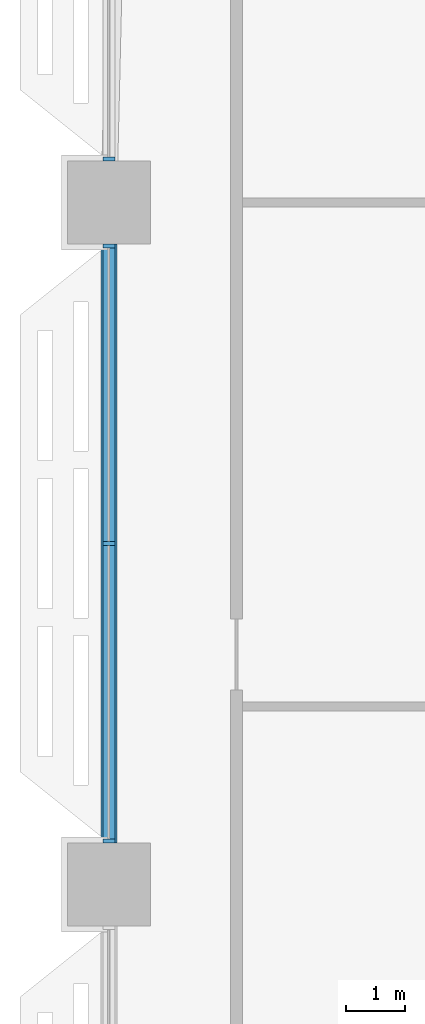
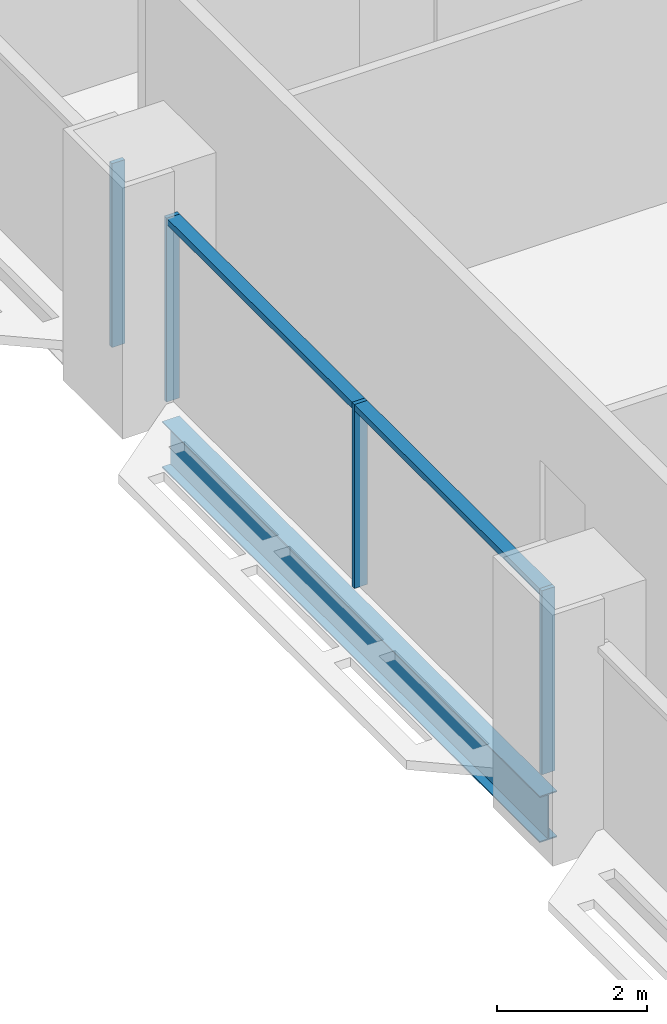
# One storey, part 4 of 29: 6 members, 1 beam, 2 elements without a shape of their own.
"""IFC4 building model written with IfcOpenShell, lengths in metres."""

from ifc_helpers import new_model, si_unit, direction, frame, origin, origin_2d, place, context, subcontext, project, spatial, rectangle, i_section, extrude, material, material_profile, profile_set, type_object, element, aggregate, save


model = new_model("IFC4")

# Units and contexts
model_context = context("Model", 3, precision=1e-05, world=origin(), true_north=direction((0.0, 1.0)))
body_context = subcontext(model_context, "Body", "Model", "MODEL_VIEW")
ifc_project = project(units=[si_unit("LENGTHUNIT", "METRE"), si_unit("AREAUNIT", "SQUARE_METRE"), si_unit("VOLUMEUNIT", "CUBIC_METRE"), si_unit("PLANEANGLEUNIT", "RADIAN"), si_unit("MASSUNIT", "GRAM", prefix="KILO")], contexts=[model_context])

# Site, building, storey
site_placement = place(None, origin())
site = spatial("IfcSite", under=ifc_project, at=site_placement, CompositionType="ELEMENT")
building_placement = place(site_placement, origin())
building = spatial("IfcBuilding", under=site, at=building_placement, Name="Mahtab Terrace Research Tower", CompositionType="ELEMENT")
storey_placement = place(building_placement, frame((0.0, 0.0, 109.39990234375)))
storey = spatial("IfcBuildingStorey", under=building, at=storey_placement, Name="L25", CompositionType="ELEMENT", Elevation=109.39990234375)

# Curtain wall, member
ifc_material_1 = material(Name="Laboratory ribbon curtain wall")
curtain_wall_type = type_object("IfcCurtainWallType", Name="Laboratory ribbon curtain wall", PredefinedType="NOTDEFINED", material=ifc_material_1)
curtain_wall_1_placement = place(storey_placement, origin())
curtain_wall_1 = element("IfcCurtainWall", 1, at=curtain_wall_1_placement, inside=storey, type_object=curtain_wall_type, Name="EN.L25.8.16", PredefinedType="NOTDEFINED")
ifc_material_2 = material(Name="Natural anodised aluminium", Category="aluminium")
ifc_material_profile_1 = material_profile(ifc_material_2, rectangle(XDim=0.199951171875, YDim=0.06494140625, at=origin_2d()), Name="MULLION 65x200")
ifc_profile_set_1 = profile_set([ifc_material_profile_1], Name="Natural anodised aluminium")
member_type_1 = type_object("IfcMemberType", Name="Laboratory ribbon curtain wall mullion", PredefinedType="MULLION", material=ifc_profile_set_1)
member_1_placement = place(storey_placement, frame((-42.0, 12.232421875, 0.0), z_axis=(0.0, 0.0, 1.0), x_axis=(1.0, 0.0, 0.0)))
member_1 = element("IfcMember", 2, at=member_1_placement, type_object=member_type_1, Name="CWL-3 mullion 3", PredefinedType="MULLION", context=body_context, shape_type="SweptSolid", body=[
    extrude(rectangle(XDim=0.199951171875, YDim=0.06494140625, at=origin_2d()), origin(), (0.0, 0.0, 1.0), 3.003173828125),
])
aggregate(curtain_wall_1, [member_1])

# Curtain wall, members
curtain_wall_2_placement = place(storey_placement, origin())
curtain_wall_2 = element("IfcCurtainWall", 3, at=curtain_wall_2_placement, inside=storey, type_object=curtain_wall_type, Name="EN.L25.8.17", PredefinedType="NOTDEFINED")
member_2_placement = place(storey_placement, frame((-42.0, 10.767578125, 0.0), z_axis=(0.0, 0.0, 1.0), x_axis=(1.0, 0.0, 0.0)))
member_2 = element("IfcMember", 4, at=member_2_placement, type_object=member_type_1, Name="CWL-3 mullion 1", PredefinedType="MULLION", context=body_context, shape_type="SweptSolid", body=[
    extrude(rectangle(XDim=0.199951171875, YDim=0.06494140625, at=origin_2d()), origin(), (0.0, 0.0, 1.0), 3.003173828125),
])
member_3_placement = place(storey_placement, frame((-42.0, 5.75, 0.0), z_axis=(0.0, 0.0, 1.0), x_axis=(1.0, 0.0, 0.0)))
member_3 = element("IfcMember", 5, at=member_3_placement, type_object=member_type_1, Name="CWL-3 mullion 2", PredefinedType="MULLION", context=body_context, shape_type="SweptSolid", body=[
    extrude(rectangle(XDim=0.199951171875, YDim=0.06494140625, at=origin_2d()), origin(), (0.0, 0.0, 1.0), 3.003173828125),
])
member_4_placement = place(storey_placement, frame((-42.0, 0.732421875, 0.0), z_axis=(0.0, 0.0, 1.0), x_axis=(1.0, 0.0, 0.0)))
member_4 = element("IfcMember", 6, at=member_4_placement, type_object=member_type_1, Name="CWL-3 mullion 3", PredefinedType="MULLION", context=body_context, shape_type="SweptSolid", body=[
    extrude(rectangle(XDim=0.199951171875, YDim=0.06494140625, at=origin_2d()), origin(), (0.0, 0.0, 1.0), 3.003173828125),
])
ifc_material_profile_2 = material_profile(ifc_material_2, rectangle(XDim=0.199951171875, YDim=0.10009765625, at=origin_2d()), Name="TRANSOM 100x200")
ifc_profile_set_2 = profile_set([ifc_material_profile_2], Name="Natural anodised aluminium")
member_type_2 = type_object("IfcMemberType", Name="Laboratory ribbon curtain wall transom", PredefinedType="USERDEFINED", material=ifc_profile_set_2)
member_5_placement = place(storey_placement, frame((-42.0, 10.735107421875, 2.953125), z_axis=(0.0, -1.0, 0.0), x_axis=(1.0, 0.0, 0.0)))
member_5 = element("IfcMember", 7, at=member_5_placement, type_object=member_type_2, Name="CWL-3 transom 1", ObjectType="TRANSOM", PredefinedType="USERDEFINED", context=body_context, shape_type="SweptSolid", body=[
    extrude(rectangle(XDim=0.199951171875, YDim=0.10009765625, at=origin_2d()), origin(), (0.0, 0.0, 1.0), 4.95263671875),
])
member_6_placement = place(storey_placement, frame((-42.0, 5.717529296875, 2.953125), z_axis=(0.0, -1.0, 0.0), x_axis=(1.0, 0.0, 0.0)))
member_6 = element("IfcMember", 8, at=member_6_placement, type_object=member_type_2, Name="CWL-3 transom 2", ObjectType="TRANSOM", PredefinedType="USERDEFINED", context=body_context, shape_type="SweptSolid", body=[
    extrude(rectangle(XDim=0.199951171875, YDim=0.10009765625, at=origin_2d()), origin(), (0.0, 0.0, 1.0), 4.95263671875),
])
aggregate(curtain_wall_2, [member_2, member_3, member_4, member_5, member_6])

# Beam
ifc_material_3 = material(Name="Steel ASTM A992 Gr 50", Category="steel")
ifc_material_profile_3 = material_profile(ifc_material_3, i_section(OverallWidth=0.2666015625, OverallDepth=0.7568359375, WebThickness=0.013916015625, FlangeThickness=0.019287109375, at=origin_2d()), Name="W30X108")
ifc_profile_set_3 = profile_set([ifc_material_profile_3], Name="Steel ASTM A992 Gr 50")
beam_type = type_object("IfcBeamType", Name="W30x108 beam BS30108", PredefinedType="BEAM", material=ifc_profile_set_3)
beam_placement = place(storey_placement, frame((-42.0, 10.800048828125, -0.71826171875), z_axis=(0.0, -1.0, 0.0), x_axis=(1.0, 0.0, 0.0)))
element("IfcBeam", 9, at=beam_placement, inside=storey, type_object=beam_type, Name="Spandrel beam L25 10", PredefinedType="BEAM", context=body_context, shape_type="SweptSolid", body=[
    extrude(i_section(OverallWidth=0.2666015625, OverallDepth=0.7568359375, WebThickness=0.013916015625, FlangeThickness=0.019287109375, at=origin_2d()), origin(), (0.0, 0.0, 1.0), 10.10009765625),
])

save(model, "model.ifc")
